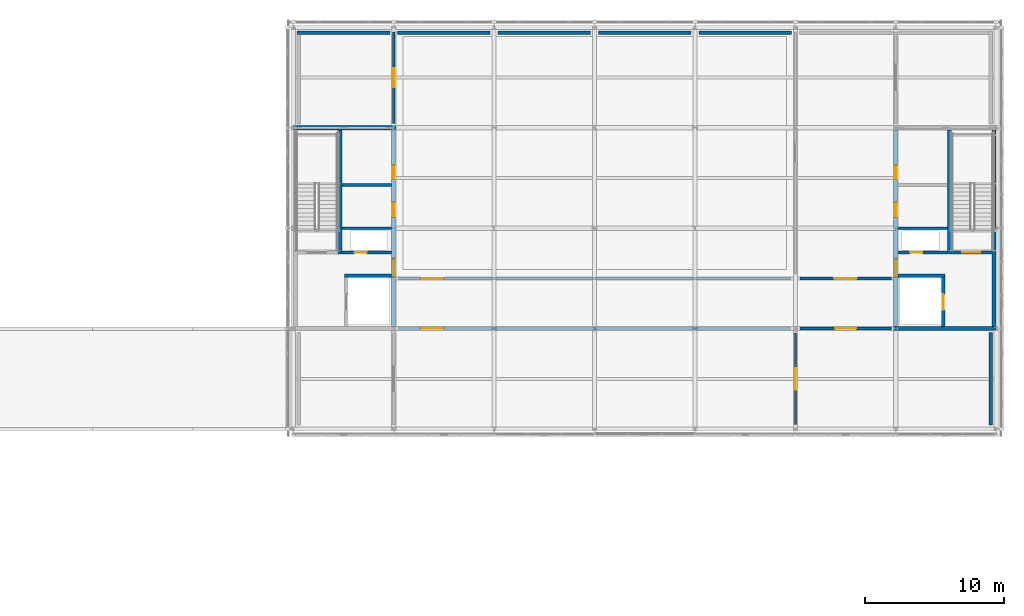
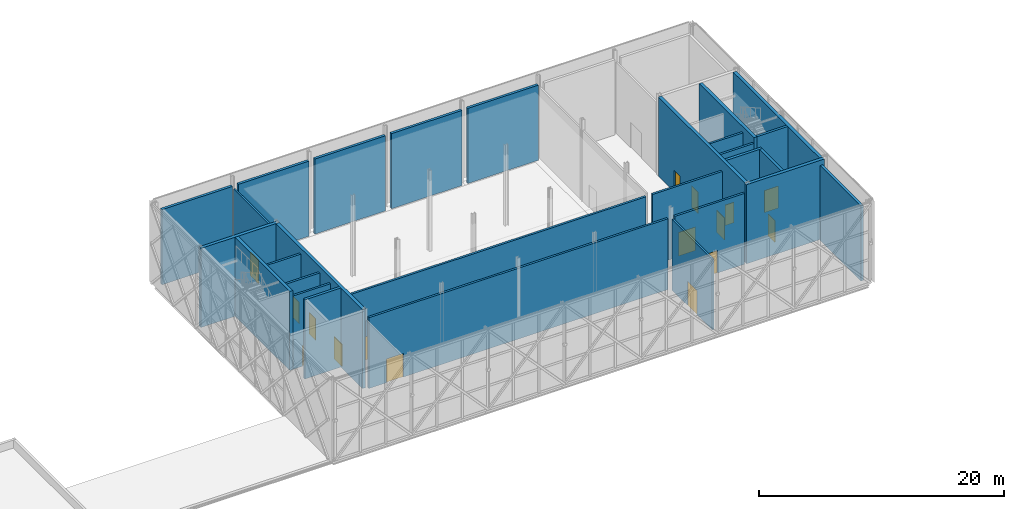
# One storey, part 70 of 76: 28 walls, 16 doors, 16 openings.
"""IFC4 building model written with IfcOpenShell, lengths in metres."""

from ifc_helpers import new_model, si_unit, direction, frame, frame_2d, origin, place, context, subcontext, project, spatial, rectangle, extrude, material, layer, layer_set, type_object, element, fill, save


model = new_model("IFC4")

# Units and contexts
model_context = context("Model", 3, precision=1e-05, world=origin(), true_north=direction((0.0, 1.0)))
body_context = subcontext(model_context, "Body", "Model", "MODEL_VIEW")
ifc_project = project(units=[si_unit("LENGTHUNIT", "METRE"), si_unit("AREAUNIT", "SQUARE_METRE"), si_unit("VOLUMEUNIT", "CUBIC_METRE"), si_unit("PLANEANGLEUNIT", "RADIAN"), si_unit("MASSUNIT", "GRAM", prefix="KILO")], contexts=[model_context])

# Site, building, storey
site_placement = place(None, origin())
site = spatial("IfcSite", under=ifc_project, at=site_placement, CompositionType="ELEMENT")
building_placement = place(site_placement, origin())
building = spatial("IfcBuilding", under=site, at=building_placement, Name="Zlatovets Crest Museum", CompositionType="ELEMENT")
storey_placement = place(building_placement, frame((0.0, 0.0, 17.10009765625)))
storey = spatial("IfcBuildingStorey", under=building, at=storey_placement, Name="L04", CompositionType="ELEMENT", Elevation=17.10009765625)

# Wall
ifc_material_1 = material(Name="Concrete C35/45", Category="concrete")
ifc_layer_1 = layer(ifc_material_1, 0.300048828125)
ifc_layer_set_1 = layer_set([ifc_layer_1], Name="Concrete C35/45")
wall_type_1 = type_object("IfcWallType", Name="CoreWall_SW01", PredefinedType="SHEAR", material=ifc_layer_set_1)
wall_1_placement = place(storey_placement, frame((57.60009765625, 108.0, 0.0), z_axis=(0.0, 0.0, 1.0), x_axis=(1.0, 0.0, 0.0)))
element("IfcWall", 1, at=wall_1_placement, inside=storey, type_object=wall_type_1, Name="Core C1 L04 North Shear Wall", PredefinedType="SHEAR", context=body_context, shape_type="SweptSolid", body=[
    extrude(rectangle(XDim=7.349853515625, YDim=0.300048828125, at=frame_2d((3.6748046875, 0.0))), origin(), (0.0, 0.0, 1.0), 7.8798828125),
])

# Wall, openings, doors
wall_2_placement = place(storey_placement, frame((64.800048828125, 93.75, 0.0), z_axis=(0.0, 0.0, 1.0), x_axis=(0.0, 1.0, 0.0)))
wall_2 = element("IfcWall", 2, at=wall_2_placement, inside=storey, type_object=wall_type_1, Name="Core C1 L04 Spine Shear Wall", PredefinedType="SHEAR", context=body_context, shape_type="SweptSolid", body=[
    extrude(rectangle(XDim=14.10009765625, YDim=0.300048828125, at=frame_2d((7.050048828125, 0.0))), origin(), (0.0, 0.0, 1.0), 7.8798828125),
])
opening_1_placement = place(wall_2_placement, frame((3.550048828125, 0.0, 0.0)))
opening_1 = element("IfcOpeningElement", 3, at=opening_1_placement, cuts=wall_2, Name="Opening FD-01", PredefinedType="OPENING", context=body_context, shape_type="SweptSolid", body=[
    extrude(rectangle(XDim=1.300048828125, YDim=2.199951171875, at=frame_2d((0.64990234375, 1.10009765625))), frame((0.0, 0.16015625, 0.0), z_axis=(0.0, -1.0, 0.0), x_axis=(1.0, 0.0, 0.0)), (0.0, 0.0, 1.0), 0.320068359375),
])
opening_2_placement = place(wall_2_placement, frame((7.85009765625, 0.0, 0.0)))
opening_2 = element("IfcOpeningElement", 4, at=opening_2_placement, cuts=wall_2, Name="Opening ID-02", PredefinedType="OPENING", context=body_context, shape_type="SweptSolid", body=[
    extrude(rectangle(XDim=1.050048828125, YDim=2.14990234375, at=frame_2d((0.52490234375, 1.074951171875))), frame((0.0, 0.16015625, 0.0), z_axis=(0.0, -1.0, 0.0), x_axis=(1.0, 0.0, 0.0)), (0.0, 0.0, 1.0), 0.320068359375),
])
opening_3_placement = place(wall_2_placement, frame((10.550048828125, 0.0, 0.0)))
opening_3 = element("IfcOpeningElement", 5, at=opening_3_placement, cuts=wall_2, Name="Opening ID-01", PredefinedType="OPENING", context=body_context, shape_type="SweptSolid", body=[
    extrude(rectangle(XDim=1.0, YDim=2.14990234375, at=frame_2d((0.5, 1.074951171875))), frame((0.0, 0.16015625, 0.0), z_axis=(0.0, -1.0, 0.0), x_axis=(1.0, 0.0, 0.0)), (0.0, 0.0, 1.0), 0.320068359375),
])
ifc_material_2 = material(Name="Smoke-sealed steel fire door", Category="steel")
door_type_1 = type_object("IfcDoorType", Name="IntDoor_FD-01", OperationType="NOTDEFINED", PredefinedType="DOOR", material=ifc_material_2)
door_1_placement = place(opening_1_placement, origin())
door_1 = element("IfcDoor", 6, at=door_1_placement, inside=storey, type_object=door_type_1, Name="CDOOR-C1-L04-LOB Core C1 L04 Lobby Fire Door", OperationType="SINGLE_SWING_RIGHT", OverallHeight=2.199951171875, OverallWidth=1.300048828125, PredefinedType="DOOR", context=body_context, shape_type="SweptSolid", body=[
    extrude(rectangle(XDim=1.300048828125, YDim=2.199951171875, at=frame_2d((0.64990234375, 1.10009765625))), frame((0.0, 0.02490234375, 0.0), z_axis=(0.0, -1.0, 0.0), x_axis=(1.0, 0.0, 0.0)), (0.0, 0.0, 1.0), 0.050048828125),
])
fill(opening_1, door_1)
ifc_material_3 = material(Name="Solid oak museum room door")
door_type_2 = type_object("IfcDoorType", Name="IntDoor_ID-01", OperationType="NOTDEFINED", PredefinedType="DOOR", material=ifc_material_3)
door_2_placement = place(opening_3_placement, origin())
door_2 = element("IfcDoor", 7, at=door_2_placement, inside=storey, type_object=door_type_2, Name="CDOOR-C1-L04-WC Core C1 L04 Public Restroom Door", OperationType="SINGLE_SWING_RIGHT", OverallHeight=2.14990234375, OverallWidth=1.0, PredefinedType="DOOR", context=body_context, shape_type="SweptSolid", body=[
    extrude(rectangle(XDim=1.0, YDim=2.14990234375, at=frame_2d((0.5, 1.074951171875))), frame((0.0, 0.02490234375, 0.0), z_axis=(0.0, -1.0, 0.0), x_axis=(1.0, 0.0, 0.0)), (0.0, 0.0, 1.0), 0.050048828125),
])
fill(opening_3, door_2)
ifc_material_4 = material(Name="Accessible sanitary room door")
door_type_3 = type_object("IfcDoorType", Name="IntDoor_ID-02", OperationType="NOTDEFINED", PredefinedType="DOOR", material=ifc_material_4)
door_3_placement = place(opening_2_placement, origin())
door_3 = element("IfcDoor", 8, at=door_3_placement, inside=storey, type_object=door_type_3, Name="CDOOR-C1-L04-AWC Core C1 L04 Accessible WC Door", OperationType="SINGLE_SWING_LEFT", OverallHeight=2.14990234375, OverallWidth=1.050048828125, PredefinedType="DOOR", context=body_context, shape_type="SweptSolid", body=[
    extrude(rectangle(XDim=1.050048828125, YDim=2.14990234375, at=frame_2d((0.52490234375, 1.074951171875))), frame((0.0, 0.02490234375, 0.0), z_axis=(0.0, -1.0, 0.0), x_axis=(1.0, 0.0, 0.0)), (0.0, 0.0, 1.0), 0.050048828125),
])
fill(opening_2, door_3)

# Walls
wall_3_placement = place(storey_placement, frame((60.949951171875, 98.93994140625, 0.0), z_axis=(0.0, 0.0, 1.0), x_axis=(0.0, 1.0, 0.0)))
element("IfcWall", 9, at=wall_3_placement, inside=storey, type_object=wall_type_1, Name="Core C1 L04 Stair Divider Wall", PredefinedType="SHEAR", context=body_context, shape_type="SweptSolid", body=[
    extrude(rectangle(XDim=8.91015625, YDim=0.300048828125, at=frame_2d((4.455078125, 0.0))), origin(), (0.0, 0.0, 1.0), 7.8798828125),
])
wall_4_placement = place(storey_placement, frame((100.64990234375, 93.60009765625, 0.0), z_axis=(0.0, 0.0, 1.0), x_axis=(1.0, 0.0, 0.0)))
element("IfcWall", 10, at=wall_4_placement, inside=storey, type_object=wall_type_1, Name="Core C6 L04 South Shear Wall", PredefinedType="SHEAR", context=body_context, shape_type="SweptSolid", body=[
    extrude(rectangle(XDim=7.35009765625, YDim=0.300048828125, at=frame_2d((3.675048828125, 0.0))), origin(), (0.0, 0.0, 1.0), 7.8798828125),
])
wall_5_placement = place(storey_placement, frame((107.85009765625, 93.75, 0.0), z_axis=(0.0, 0.0, 1.0), x_axis=(0.0, 1.0, 0.0)))
element("IfcWall", 11, at=wall_5_placement, inside=storey, type_object=wall_type_1, Name="Core C6 L04 Perimeter Shear Wall", PredefinedType="SHEAR", context=body_context, shape_type="SweptSolid", body=[
    extrude(rectangle(XDim=14.10009765625, YDim=0.300048828125, at=frame_2d((7.050048828125, 0.0))), origin(), (0.0, 0.0, 1.0), 7.8798828125),
])

# Wall, openings, doors
wall_6_placement = place(storey_placement, frame((100.800048828125, 93.75, 0.0), z_axis=(0.0, 0.0, 1.0), x_axis=(0.0, 1.0, 0.0)))
wall_6 = element("IfcWall", 12, at=wall_6_placement, inside=storey, type_object=wall_type_1, Name="Core C6 L04 Spine Shear Wall", PredefinedType="SHEAR", context=body_context, shape_type="SweptSolid", body=[
    extrude(rectangle(XDim=14.10009765625, YDim=0.300048828125, at=frame_2d((7.050048828125, 0.0))), origin(), (0.0, 0.0, 1.0), 7.8798828125),
])
opening_4_placement = place(wall_6_placement, frame((3.550048828125, 0.0, 0.0)))
opening_4 = element("IfcOpeningElement", 13, at=opening_4_placement, cuts=wall_6, Name="Opening FD-01", PredefinedType="OPENING", context=body_context, shape_type="SweptSolid", body=[
    extrude(rectangle(XDim=1.300048828125, YDim=2.199951171875, at=frame_2d((0.64990234375, 1.10009765625))), frame((0.0, 0.16015625, 0.0), z_axis=(0.0, -1.0, 0.0), x_axis=(1.0, 0.0, 0.0)), (0.0, 0.0, 1.0), 0.320068359375),
])
opening_5_placement = place(wall_6_placement, frame((7.85009765625, 0.0, 0.0)))
opening_5 = element("IfcOpeningElement", 14, at=opening_5_placement, cuts=wall_6, Name="Opening ID-02", PredefinedType="OPENING", context=body_context, shape_type="SweptSolid", body=[
    extrude(rectangle(XDim=1.050048828125, YDim=2.14990234375, at=frame_2d((0.52490234375, 1.074951171875))), frame((0.0, 0.16015625, 0.0), z_axis=(0.0, -1.0, 0.0), x_axis=(1.0, 0.0, 0.0)), (0.0, 0.0, 1.0), 0.320068359375),
])
opening_6_placement = place(wall_6_placement, frame((10.550048828125, 0.0, 0.0)))
opening_6 = element("IfcOpeningElement", 15, at=opening_6_placement, cuts=wall_6, Name="Opening ID-01", PredefinedType="OPENING", context=body_context, shape_type="SweptSolid", body=[
    extrude(rectangle(XDim=1.0, YDim=2.14990234375, at=frame_2d((0.5, 1.074951171875))), frame((0.0, 0.16015625, 0.0), z_axis=(0.0, -1.0, 0.0), x_axis=(1.0, 0.0, 0.0)), (0.0, 0.0, 1.0), 0.320068359375),
])
door_4_placement = place(opening_4_placement, origin())
door_4 = element("IfcDoor", 16, at=door_4_placement, inside=storey, type_object=door_type_1, Name="CDOOR-C6-L04-LOB Core C6 L04 Lobby Fire Door", OperationType="SINGLE_SWING_RIGHT", OverallHeight=2.199951171875, OverallWidth=1.300048828125, PredefinedType="DOOR", context=body_context, shape_type="SweptSolid", body=[
    extrude(rectangle(XDim=1.300048828125, YDim=2.199951171875, at=frame_2d((0.64990234375, 1.10009765625))), frame((0.0, 0.02490234375, 0.0), z_axis=(0.0, -1.0, 0.0), x_axis=(1.0, 0.0, 0.0)), (0.0, 0.0, 1.0), 0.050048828125),
])
fill(opening_4, door_4)
door_5_placement = place(opening_6_placement, origin())
door_5 = element("IfcDoor", 17, at=door_5_placement, inside=storey, type_object=door_type_2, Name="CDOOR-C6-L04-WC Core C6 L04 Public Restroom Door", OperationType="SINGLE_SWING_RIGHT", OverallHeight=2.14990234375, OverallWidth=1.0, PredefinedType="DOOR", context=body_context, shape_type="SweptSolid", body=[
    extrude(rectangle(XDim=1.0, YDim=2.14990234375, at=frame_2d((0.5, 1.074951171875))), frame((0.0, 0.02490234375, 0.0), z_axis=(0.0, -1.0, 0.0), x_axis=(1.0, 0.0, 0.0)), (0.0, 0.0, 1.0), 0.050048828125),
])
fill(opening_6, door_5)
door_6_placement = place(opening_5_placement, origin())
door_6 = element("IfcDoor", 18, at=door_6_placement, inside=storey, type_object=door_type_3, Name="CDOOR-C6-L04-AWC Core C6 L04 Accessible WC Door", OperationType="SINGLE_SWING_LEFT", OverallHeight=2.14990234375, OverallWidth=1.050048828125, PredefinedType="DOOR", context=body_context, shape_type="SweptSolid", body=[
    extrude(rectangle(XDim=1.050048828125, YDim=2.14990234375, at=frame_2d((0.52490234375, 1.074951171875))), frame((0.0, 0.02490234375, 0.0), z_axis=(0.0, -1.0, 0.0), x_axis=(1.0, 0.0, 0.0)), (0.0, 0.0, 1.0), 0.050048828125),
])
fill(opening_5, door_6)

# Walls
wall_7_placement = place(storey_placement, frame((104.64990234375, 98.93994140625, 0.0), z_axis=(0.0, 0.0, 1.0), x_axis=(0.0, 1.0, 0.0)))
element("IfcWall", 19, at=wall_7_placement, inside=storey, type_object=wall_type_1, Name="Core C6 L04 Stair Divider Wall", PredefinedType="SHEAR", context=body_context, shape_type="SweptSolid", body=[
    extrude(rectangle(XDim=8.91015625, YDim=0.300048828125, at=frame_2d((4.455078125, 0.0))), origin(), (0.0, 0.0, 1.0), 7.8798828125),
])
ifc_layer_2 = layer(ifc_material_1, 0.25)
ifc_layer_set_2 = layer_set([ifc_layer_2], Name="Concrete C35/45")
wall_type_2 = type_object("IfcWallType", Name="CoreWall_SW02", PredefinedType="SHEAR", material=ifc_layer_set_2)
wall_8_placement = place(storey_placement, frame((61.27490234375, 97.39990234375, 0.0), z_axis=(0.0, 0.0, 1.0), x_axis=(1.0, 0.0, 0.0)))
element("IfcWall", 20, at=wall_8_placement, inside=storey, type_object=wall_type_2, Name="Core C1 L04 Lift Shaft North Shear Wall", PredefinedType="SHEAR", context=body_context, shape_type="SweptSolid", body=[
    extrude(rectangle(XDim=3.375, YDim=0.25, at=frame_2d((1.6875, 0.0))), origin(), (0.0, 0.0, 1.0), 7.8798828125),
])

# Wall, opening, door
wall_9_placement = place(storey_placement, frame((104.199951171875, 93.75, 0.0), z_axis=(0.0, 0.0, 1.0), x_axis=(0.0, 1.0, 0.0)))
wall_9 = element("IfcWall", 21, at=wall_9_placement, inside=storey, type_object=wall_type_2, Name="Core C6 L04 Lift Shaft Wall", PredefinedType="SHEAR", context=body_context, shape_type="SweptSolid", body=[
    extrude(rectangle(XDim=3.52490234375, YDim=0.25, at=frame_2d((1.762451171875, 0.0))), origin(), (0.0, 0.0, 1.0), 7.8798828125),
])
opening_7_placement = place(wall_9_placement, frame((1.199951171875, 0.0, 0.0)))
opening_7 = element("IfcOpeningElement", 22, at=opening_7_placement, cuts=wall_9, Name="Opening LD-01", PredefinedType="OPENING", context=body_context, shape_type="SweptSolid", body=[
    extrude(rectangle(XDim=1.10009765625, YDim=2.14990234375, at=frame_2d((0.550048828125, 1.074951171875))), frame((0.0, 0.135009765625, 0.0), z_axis=(0.0, -1.0, 0.0), x_axis=(1.0, 0.0, 0.0)), (0.0, 0.0, 1.0), 0.27001953125),
])
ifc_material_5 = material(Name="Stainless-bronze sliding lift landing door")
door_type_4 = type_object("IfcDoorType", Name="IntDoor_LD-01", OperationType="SLIDING_TO_LEFT", PredefinedType="DOOR", material=ifc_material_5)
door_7_placement = place(opening_7_placement, origin())
door_7 = element("IfcDoor", 23, at=door_7_placement, inside=storey, type_object=door_type_4, Name="LDOOR-FL2-L04 Lift FL2 L04 Sliding Landing Door", OperationType="SLIDING_TO_LEFT", OverallHeight=2.14990234375, OverallWidth=1.10009765625, PredefinedType="DOOR", context=body_context, shape_type="SweptSolid", body=[
    extrude(rectangle(XDim=1.10009765625, YDim=2.14990234375, at=frame_2d((0.550048828125, 1.074951171875))), frame((0.0, 0.02490234375, 0.0), z_axis=(0.0, -1.0, 0.0), x_axis=(1.0, 0.0, 0.0)), (0.0, 0.0, 1.0), 0.050048828125),
])
fill(opening_7, door_7)

wall_10_placement = place(storey_placement, frame((104.800048828125, 99.050048828125, 0.0), z_axis=(0.0, 0.0, 1.0), x_axis=(1.0, 0.0, 0.0)))
wall_10 = element("IfcWall", 24, at=wall_10_placement, inside=storey, type_object=wall_type_2, Name="Core C6 L04 Stairwell Fire Wall", PredefinedType="SHEAR", context=body_context, shape_type="SweptSolid", body=[
    extrude(rectangle(XDim=2.89990234375, YDim=0.219970703125, at=frame_2d((1.449951171875, 0.0))), origin(), (0.0, 0.0, 1.0), 7.8798828125),
])
opening_8_placement = place(wall_10_placement, frame((0.75, 0.0, 0.0)))
opening_8 = element("IfcOpeningElement", 25, at=opening_8_placement, cuts=wall_10, Name="Opening FD-01", PredefinedType="OPENING", context=body_context, shape_type="SweptSolid", body=[
    extrude(rectangle(XDim=1.300048828125, YDim=2.199951171875, at=frame_2d((0.64990234375, 1.10009765625))), frame((0.0, 0.1201171875, 0.0), z_axis=(0.0, -1.0, 0.0), x_axis=(1.0, 0.0, 0.0)), (0.0, 0.0, 1.0), 0.239990234375),
])
door_8_placement = place(opening_8_placement, origin())
door_8 = element("IfcDoor", 26, at=door_8_placement, inside=storey, type_object=door_type_1, Name="SDOOR-ST7-L04 Stair ST7 L04 Fire Door", OperationType="SINGLE_SWING_LEFT", OverallHeight=2.199951171875, OverallWidth=1.300048828125, PredefinedType="DOOR", context=body_context, shape_type="SweptSolid", body=[
    extrude(rectangle(XDim=1.300048828125, YDim=2.199951171875, at=frame_2d((0.64990234375, 1.10009765625))), frame((0.0, 0.02490234375, 0.0), z_axis=(0.0, -1.0, 0.0), x_axis=(1.0, 0.0, 0.0)), (0.0, 0.0, 1.0), 0.050048828125),
])
fill(opening_8, door_8)

# Walls
wall_11_placement = place(storey_placement, frame((100.949951171875, 97.39990234375, 0.0), z_axis=(0.0, 0.0, 1.0), x_axis=(1.0, 0.0, 0.0)))
element("IfcWall", 27, at=wall_11_placement, inside=storey, type_object=wall_type_2, Name="Core C6 L04 Lift Shaft North Shear Wall", PredefinedType="SHEAR", context=body_context, shape_type="SweptSolid", body=[
    extrude(rectangle(XDim=3.375, YDim=0.25, at=frame_2d((1.6875, 0.0))), origin(), (0.0, 0.0, 1.0), 7.8798828125),
])
ifc_material_6 = material(Name="Insulated gallery conservation liner wall", Category="concrete")
ifc_layer_3 = layer(ifc_material_6, 0.300048828125)
ifc_layer_set_3 = layer_set([ifc_layer_3], Name="Insulated gallery conservation liner wall")
wall_type_3 = type_object("IfcWallType", Name="ExtWall_EW-02", PredefinedType="STANDARD", material=ifc_layer_set_3)
for number, where, z_axis, x_axis, name in (
    (28, (107.6201171875, 86.679931640625, 0.0), (0.0, 0.0, 1.0), (0.0, 1.0, 0.0), "V1 L04 Interior Conservation Gallery Liner Wall"),
    (29, (93.320068359375, 114.820068359375, 0.0), (0.0, 0.0, 1.0), (-1.0, 0.0, 0.0), "V1 L04 Interior Conservation Gallery Liner Wall"),
    (30, (86.1201171875, 114.820068359375, 0.0), (0.0, 0.0, 1.0), (-1.0, 0.0, 0.0), "V1 L04 Interior Conservation Gallery Liner Wall"),
):
    element("IfcWall", number, at=place(storey_placement, frame(where, z_axis=z_axis, x_axis=x_axis)), inside=storey, type_object=wall_type_3, Name=name, PredefinedType="STANDARD", context=body_context, shape_type="SweptSolid", body=[
        extrude(rectangle(XDim=6.64013671875, YDim=0.239990234375, at=frame_2d((3.320068359375, 0.0))), origin(), (0.0, 0.0, 1.0), 7.47998046875),
    ])
for number, where, z_axis, x_axis, name in (
    (31, (78.919921875, 114.820068359375, 0.0), (0.0, 0.0, 1.0), (-1.0, 0.0, 0.0), "V1 L04 Interior Conservation Gallery Liner Wall"),
    (32, (71.719970703125, 114.820068359375, 0.0), (0.0, 0.0, 1.0), (-1.0, 0.0, 0.0), "V1 L04 Interior Conservation Gallery Liner Wall"),
):
    element("IfcWall", number, at=place(storey_placement, frame(where, z_axis=z_axis, x_axis=x_axis)), inside=storey, type_object=wall_type_3, Name=name, PredefinedType="STANDARD", context=body_context, shape_type="SweptSolid", body=[
        extrude(rectangle(XDim=6.639892578125, YDim=0.239990234375, at=frame_2d((3.31982421875, 0.0))), origin(), (0.0, 0.0, 1.0), 7.47998046875),
    ])
wall_12_placement = place(storey_placement, frame((64.52001953125, 114.820068359375, 0.0), z_axis=(0.0, 0.0, 1.0), x_axis=(-1.0, 0.0, 0.0)))
element("IfcWall", 33, at=wall_12_placement, inside=storey, type_object=wall_type_3, Name="V1 L04 Interior Conservation Gallery Liner Wall", PredefinedType="STANDARD", context=body_context, shape_type="SweptSolid", body=[
    extrude(rectangle(XDim=6.64013671875, YDim=0.239990234375, at=frame_2d((3.320068359375, 0.0))), origin(), (0.0, 0.0, 1.0), 7.47998046875),
])

# Wall, opening, door
ifc_material_7 = material(Name="Gypsum-encased fire compartment partition")
ifc_layer_4 = layer(ifc_material_7, 0.199951171875)
ifc_layer_set_4 = layer_set([ifc_layer_4], Name="Gypsum-encased fire compartment partition")
wall_type_4 = type_object("IfcWallType", Name="PartWall_PT-01", PredefinedType="PARTITIONING", material=ifc_layer_set_4)
wall_13_placement = place(storey_placement, frame((65.1201171875, 97.199951171875, 0.0), z_axis=(0.0, 0.0, 1.0), x_axis=(1.0, 0.0, 0.0)))
wall_13 = element("IfcWall", 34, at=wall_13_placement, inside=storey, type_object=wall_type_4, Name="V1 L04 Interior Partition PT-01", PredefinedType="PARTITIONING", context=body_context, shape_type="SweptSolid", body=[
    extrude(rectangle(XDim=28.159912109375, YDim=0.199951171875, at=frame_2d((14.080078125, 0.0))), origin(), (0.0, 0.0, 1.0), 7.0498046875),
])
opening_9_placement = place(wall_13_placement, frame((1.648681640625, 0.0, 0.0)))
opening_9 = element("IfcOpeningElement", 35, at=opening_9_placement, cuts=wall_13, Name="Opening ID-04", PredefinedType="OPENING", context=body_context, shape_type="SweptSolid", body=[
    extrude(rectangle(XDim=1.60009765625, YDim=2.35009765625, at=frame_2d((0.800048828125, 1.175048828125))), frame((0.0, 0.10986328125, 0.0), z_axis=(0.0, -1.0, 0.0), x_axis=(1.0, 0.0, 0.0)), (0.0, 0.0, 1.0), 0.219970703125),
])
ifc_material_8 = material(Name="Gallery salon double portal door")
door_type_5 = type_object("IfcDoorType", Name="IntDoor_ID-04", OperationType="DOUBLE_DOOR_SINGLE_SWING", PredefinedType="DOOR", material=ifc_material_8)
door_9_placement = place(opening_9_placement, origin())
door_9 = element("IfcDoor", 36, at=door_9_placement, inside=storey, type_object=door_type_5, Name="IDOOR-V1-L04-0208 Grand Gallery Promenade to Double-Height Grand Sculpture Hall Door", OperationType="DOUBLE_DOOR_SINGLE_SWING", OverallHeight=2.35009765625, OverallWidth=1.60009765625, PredefinedType="DOOR", context=body_context, shape_type="SweptSolid", body=[
    extrude(rectangle(XDim=1.60009765625, YDim=2.35009765625, at=frame_2d((0.800048828125, 1.175048828125))), frame((0.0, 0.02490234375, 0.0), z_axis=(0.0, -1.0, 0.0), x_axis=(1.0, 0.0, 0.0)), (0.0, 0.0, 1.0), 0.050048828125),
])
fill(opening_9, door_9)

wall_14_placement = place(storey_placement, frame((65.1201171875, 93.60009765625, 0.0), z_axis=(0.0, 0.0, 1.0), x_axis=(1.0, 0.0, 0.0)))
wall_14 = element("IfcWall", 37, at=wall_14_placement, inside=storey, type_object=wall_type_4, Name="V1 L04 Interior Partition PT-01", PredefinedType="PARTITIONING", context=body_context, shape_type="SweptSolid", body=[
    extrude(rectangle(XDim=28.159912109375, YDim=0.199951171875, at=frame_2d((14.080078125, 0.0))), origin(), (0.0, 0.0, 1.0), 7.0498046875),
])
opening_10_placement = place(wall_14_placement, frame((1.648681640625, 0.0, 0.0)))
opening_10 = element("IfcOpeningElement", 38, at=opening_10_placement, cuts=wall_14, Name="Opening ID-04", PredefinedType="OPENING", context=body_context, shape_type="SweptSolid", body=[
    extrude(rectangle(XDim=1.60009765625, YDim=2.35009765625, at=frame_2d((0.800048828125, 1.175048828125))), frame((0.0, 0.10986328125, 0.0), z_axis=(0.0, -1.0, 0.0), x_axis=(1.0, 0.0, 0.0)), (0.0, 0.0, 1.0), 0.219970703125),
])
door_10_placement = place(opening_10_placement, origin())
door_10 = element("IfcDoor", 39, at=door_10_placement, inside=storey, type_object=door_type_5, Name="IDOOR-V1-L04-0209 Grand Gallery Promenade to Monumental Secession Frieze Salon Door", OperationType="DOUBLE_DOOR_SINGLE_SWING", OverallHeight=2.35009765625, OverallWidth=1.60009765625, PredefinedType="DOOR", context=body_context, shape_type="SweptSolid", body=[
    extrude(rectangle(XDim=1.60009765625, YDim=2.35009765625, at=frame_2d((0.800048828125, 1.175048828125))), frame((0.0, 0.02490234375, 0.0), z_axis=(0.0, -1.0, 0.0), x_axis=(1.0, 0.0, 0.0)), (0.0, 0.0, 1.0), 0.050048828125),
])
fill(opening_10, door_10)

wall_15_placement = place(storey_placement, frame((93.919921875, 93.60009765625, 0.0), z_axis=(0.0, 0.0, 1.0), x_axis=(1.0, 0.0, 0.0)))
wall_15 = element("IfcWall", 40, at=wall_15_placement, inside=storey, type_object=wall_type_4, Name="V1 L04 Interior Partition PT-01", PredefinedType="PARTITIONING", context=body_context, shape_type="SweptSolid", body=[
    extrude(rectangle(XDim=6.56005859375, YDim=0.199951171875, at=frame_2d((3.280029296875, 0.0))), origin(), (0.0, 0.0, 1.0), 7.0498046875),
])
opening_11_placement = place(wall_15_placement, frame((2.530029296875, 0.0, 0.0)))
opening_11 = element("IfcOpeningElement", 41, at=opening_11_placement, cuts=wall_15, Name="Opening FD-02", PredefinedType="OPENING", context=body_context, shape_type="SweptSolid", body=[
    extrude(rectangle(XDim=1.5, YDim=2.25, at=frame_2d((0.75, 1.125))), frame((0.0, 0.10986328125, 0.0), z_axis=(0.0, -1.0, 0.0), x_axis=(1.0, 0.0, 0.0)), (0.0, 0.0, 1.0), 0.219970703125),
])
ifc_material_9 = material(Name="Double corridor compartment fire door")
door_type_6 = type_object("IfcDoorType", Name="IntDoor_FD-02", OperationType="DOUBLE_DOOR_SINGLE_SWING", PredefinedType="DOOR", material=ifc_material_9)
door_11_placement = place(opening_11_placement, origin())
door_11 = element("IfcDoor", 42, at=door_11_placement, inside=storey, type_object=door_type_6, Name="IDOOR-V1-L04-0210 Grand Gallery Promenade to Vitosha Belvedere Viewing Lounge Door", OperationType="DOUBLE_DOOR_SINGLE_SWING", OverallHeight=2.25, OverallWidth=1.5, PredefinedType="DOOR", context=body_context, shape_type="SweptSolid", body=[
    extrude(rectangle(XDim=1.5, YDim=2.25, at=frame_2d((0.75, 1.125))), frame((0.0, 0.02490234375, 0.0), z_axis=(0.0, -1.0, 0.0), x_axis=(1.0, 0.0, 0.0)), (0.0, 0.0, 1.0), 0.050048828125),
])
fill(opening_11, door_11)

wall_16_placement = place(storey_placement, frame((93.919921875, 97.199951171875, 0.0), z_axis=(0.0, 0.0, 1.0), x_axis=(1.0, 0.0, 0.0)))
wall_16 = element("IfcWall", 43, at=wall_16_placement, inside=storey, type_object=wall_type_4, Name="V1 L04 Interior Partition PT-01", PredefinedType="PARTITIONING", context=body_context, shape_type="SweptSolid", body=[
    extrude(rectangle(XDim=6.56005859375, YDim=0.199951171875, at=frame_2d((3.280029296875, 0.0))), origin(), (0.0, 0.0, 1.0), 7.0498046875),
])
opening_12_placement = place(wall_16_placement, frame((2.47998046875, 0.0, 0.0)))
opening_12 = element("IfcOpeningElement", 44, at=opening_12_placement, cuts=wall_16, Name="Opening ID-04", PredefinedType="OPENING", context=body_context, shape_type="SweptSolid", body=[
    extrude(rectangle(XDim=1.60009765625, YDim=2.35009765625, at=frame_2d((0.800048828125, 1.175048828125))), frame((0.0, 0.10986328125, 0.0), z_axis=(0.0, -1.0, 0.0), x_axis=(1.0, 0.0, 0.0)), (0.0, 0.0, 1.0), 0.219970703125),
])
door_12_placement = place(opening_12_placement, origin())
door_12 = element("IfcDoor", 45, at=door_12_placement, inside=storey, type_object=door_type_5, Name="IDOOR-V1-L04-0211 Grand Gallery Promenade to Monumental Painting Conservation Studio Door", OperationType="DOUBLE_DOOR_SINGLE_SWING", OverallHeight=2.35009765625, OverallWidth=1.60009765625, PredefinedType="DOOR", context=body_context, shape_type="SweptSolid", body=[
    extrude(rectangle(XDim=1.60009765625, YDim=2.35009765625, at=frame_2d((0.800048828125, 1.175048828125))), frame((0.0, 0.02490234375, 0.0), z_axis=(0.0, -1.0, 0.0), x_axis=(1.0, 0.0, 0.0)), (0.0, 0.0, 1.0), 0.050048828125),
])
fill(opening_12, door_12)

ifc_material_10 = material(Name="Acoustic museum gallery stud partition")
ifc_layer_5 = layer(ifc_material_10, 0.159912109375)
ifc_layer_set_5 = layer_set([ifc_layer_5], Name="Acoustic museum gallery stud partition")
wall_type_5 = type_object("IfcWallType", Name="PartWall_PT-02", PredefinedType="PARTITIONING", material=ifc_layer_set_5)
wall_17_placement = place(storey_placement, frame((64.800048828125, 108.320068359375, 0.0), z_axis=(0.0, 0.0, 1.0), x_axis=(0.0, 1.0, 0.0)))
wall_17 = element("IfcWall", 46, at=wall_17_placement, inside=storey, type_object=wall_type_5, Name="V1 L04 Interior Partition PT-02", PredefinedType="PARTITIONING", context=body_context, shape_type="SweptSolid", body=[
    extrude(rectangle(XDim=6.559814453125, YDim=0.159912109375, at=frame_2d((3.27978515625, 0.0))), origin(), (0.0, 0.0, 1.0), 7.0498046875),
])
opening_13_placement = place(wall_17_placement, frame((2.60498046875, 0.0, 0.0)))
opening_13 = element("IfcOpeningElement", 47, at=opening_13_placement, cuts=wall_17, Name="Opening ID-12", PredefinedType="OPENING", context=body_context, shape_type="SweptSolid", body=[
    extrude(rectangle(XDim=1.35009765625, YDim=2.35009765625, at=frame_2d((0.675048828125, 1.175048828125))), frame((0.0, 0.08984375, 0.0), z_axis=(0.0, -1.0, 0.0), x_axis=(1.0, 0.0, 0.0)), (0.0, 0.0, 1.0), 0.179931640625),
])
ifc_material_11 = material(Name="Specimen prep wide oak door")
door_type_7 = type_object("IfcDoorType", Name="IntDoor_ID-12", OperationType="NOTDEFINED", PredefinedType="DOOR", material=ifc_material_11)
door_13_placement = place(opening_13_placement, origin())
door_13 = element("IfcDoor", 48, at=door_13_placement, inside=storey, type_object=door_type_7, Name="IDOOR-V1-L04-0213 Double-Height Grand Sculpture Hall to Lighting Control Study Door", OperationType="SINGLE_SWING_RIGHT", OverallHeight=2.35009765625, OverallWidth=1.35009765625, PredefinedType="DOOR", context=body_context, shape_type="SweptSolid", body=[
    extrude(rectangle(XDim=1.35009765625, YDim=2.35009765625, at=frame_2d((0.675048828125, 1.175048828125))), frame((0.0, 0.02490234375, 0.0), z_axis=(0.0, -1.0, 0.0), x_axis=(1.0, 0.0, 0.0)), (0.0, 0.0, 1.0), 0.050048828125),
])
fill(opening_13, door_13)

wall_18_placement = place(storey_placement, frame((93.60009765625, 86.719970703125, 0.0), z_axis=(0.0, 0.0, 1.0), x_axis=(0.0, 1.0, 0.0)))
wall_18 = element("IfcWall", 49, at=wall_18_placement, inside=storey, type_object=wall_type_5, Name="V1 L04 Interior Partition PT-02", PredefinedType="PARTITIONING", context=body_context, shape_type="SweptSolid", body=[
    extrude(rectangle(XDim=6.56005859375, YDim=0.159912109375, at=frame_2d((3.280029296875, 0.0))), origin(), (0.0, 0.0, 1.0), 7.0498046875),
])
opening_14_placement = place(wall_18_placement, frame((2.5048828125, 0.0, 0.0)))
opening_14 = element("IfcOpeningElement", 50, at=opening_14_placement, cuts=wall_18, Name="Opening ID-13", PredefinedType="OPENING", context=body_context, shape_type="SweptSolid", body=[
    extrude(rectangle(XDim=1.550048828125, YDim=2.39990234375, at=frame_2d((0.77490234375, 1.199951171875))), frame((0.0, 0.08984375, 0.0), z_axis=(0.0, -1.0, 0.0), x_axis=(1.0, 0.0, 0.0)), (0.0, 0.0, 1.0), 0.179931640625),
])
ifc_material_12 = material(Name="Cabinet gallery double door")
door_type_8 = type_object("IfcDoorType", Name="IntDoor_ID-13", OperationType="DOUBLE_DOOR_SINGLE_SWING", PredefinedType="DOOR", material=ifc_material_12)
door_14_placement = place(opening_14_placement, origin())
door_14 = element("IfcDoor", 51, at=door_14_placement, inside=storey, type_object=door_type_8, Name="IDOOR-V1-L04-0214 Monumental Secession Frieze Salon to Vitosha Belvedere Viewing Lounge Door", OperationType="DOUBLE_DOOR_SINGLE_SWING", OverallHeight=2.39990234375, OverallWidth=1.550048828125, PredefinedType="DOOR", context=body_context, shape_type="SweptSolid", body=[
    extrude(rectangle(XDim=1.550048828125, YDim=2.39990234375, at=frame_2d((0.77490234375, 1.199951171875))), frame((0.0, 0.02490234375, 0.0), z_axis=(0.0, -1.0, 0.0), x_axis=(1.0, 0.0, 0.0)), (0.0, 0.0, 1.0), 0.050048828125),
])
fill(opening_14, door_14)

ifc_material_13 = material(Name="Sanitary core acoustic service wall")
ifc_layer_6 = layer(ifc_material_13, 0.219970703125)
ifc_layer_set_6 = layer_set([ifc_layer_6], Name="Sanitary core acoustic service wall")
wall_type_6 = type_object("IfcWallType", Name="PartWall_PT-04", PredefinedType="PLUMBINGWALL", material=ifc_layer_set_6)
wall_19_placement = place(storey_placement, frame((61.10009765625, 99.050048828125, 0.0), z_axis=(0.0, 0.0, 1.0), x_axis=(1.0, 0.0, 0.0)))
wall_19 = element("IfcWall", 52, at=wall_19_placement, inside=storey, type_object=wall_type_6, Name="Core C1 L04 Riser Lobby Wall", PredefinedType="PLUMBINGWALL", context=body_context, shape_type="SweptSolid", body=[
    extrude(rectangle(XDim=3.5498046875, YDim=0.199951171875, at=frame_2d((1.77490234375, 0.0))), origin(), (0.0, 0.0, 1.0), 7.2998046875),
])
opening_15_placement = place(wall_19_placement, frame((0.89990234375, 0.0, 0.0)))
opening_15 = element("IfcOpeningElement", 53, at=opening_15_placement, cuts=wall_19, Name="Opening FD-03", PredefinedType="OPENING", context=body_context, shape_type="SweptSolid", body=[
    extrude(rectangle(XDim=0.85009765625, YDim=2.050048828125, at=frame_2d((0.425048828125, 1.02490234375))), frame((0.0, 0.10986328125, 0.0), z_axis=(0.0, -1.0, 0.0), x_axis=(1.0, 0.0, 0.0)), (0.0, 0.0, 1.0), 0.219970703125),
])
ifc_material_14 = material(Name="Steel riser shaft access fire door", Category="steel")
door_type_9 = type_object("IfcDoorType", Name="IntDoor_FD-03", OperationType="NOTDEFINED", PredefinedType="TRAPDOOR", material=ifc_material_14)
door_15_placement = place(opening_15_placement, origin())
door_15 = element("IfcDoor", 54, at=door_15_placement, inside=storey, type_object=door_type_9, Name="CDOOR-C1-L04-RIS Core C1 L04 Riser Access Door", OperationType="SINGLE_SWING_RIGHT", OverallHeight=2.050048828125, OverallWidth=0.85009765625, PredefinedType="TRAPDOOR", context=body_context, shape_type="SweptSolid", body=[
    extrude(rectangle(XDim=0.85009765625, YDim=2.050048828125, at=frame_2d((0.425048828125, 1.02490234375))), frame((0.0, 0.02490234375, 0.0), z_axis=(0.0, -1.0, 0.0), x_axis=(1.0, 0.0, 0.0)), (0.0, 0.0, 1.0), 0.050048828125),
])
fill(opening_15, door_15)

# Walls
for number, where, z_axis, x_axis, name in (
    (55, (61.10009765625, 100.800048828125, 0.0), (0.0, 0.0, 1.0), (1.0, 0.0, 0.0), "Core C1 L04 Sanitary Divider"),
    (56, (61.10009765625, 103.89990234375, 0.0), (0.0, 0.0, 1.0), (1.0, 0.0, 0.0), "Core C1 L04 Sanitary Divider"),
):
    element("IfcWall", number, at=place(storey_placement, frame(where, z_axis=z_axis, x_axis=x_axis)), inside=storey, type_object=wall_type_6, Name=name, PredefinedType="PLUMBINGWALL", context=body_context, shape_type="SweptSolid", body=[
        extrude(rectangle(XDim=3.5498046875, YDim=0.199951171875, at=frame_2d((1.77490234375, 0.0))), origin(), (0.0, 0.0, 1.0), 7.2998046875),
    ])

# Wall, opening, door
wall_20_placement = place(storey_placement, frame((100.949951171875, 99.050048828125, 0.0), z_axis=(0.0, 0.0, 1.0), x_axis=(1.0, 0.0, 0.0)))
wall_20 = element("IfcWall", 57, at=wall_20_placement, inside=storey, type_object=wall_type_6, Name="Core C6 L04 Riser Lobby Wall", PredefinedType="PLUMBINGWALL", context=body_context, shape_type="SweptSolid", body=[
    extrude(rectangle(XDim=3.550048828125, YDim=0.199951171875, at=frame_2d((1.77490234375, 0.0))), origin(), (0.0, 0.0, 1.0), 7.2998046875),
])
opening_16_placement = place(wall_20_placement, frame((0.89990234375, 0.0, 0.0)))
opening_16 = element("IfcOpeningElement", 58, at=opening_16_placement, cuts=wall_20, Name="Opening FD-03", PredefinedType="OPENING", context=body_context, shape_type="SweptSolid", body=[
    extrude(rectangle(XDim=0.85009765625, YDim=2.050048828125, at=frame_2d((0.425048828125, 1.02490234375))), frame((0.0, 0.10986328125, 0.0), z_axis=(0.0, -1.0, 0.0), x_axis=(1.0, 0.0, 0.0)), (0.0, 0.0, 1.0), 0.219970703125),
])
door_16_placement = place(opening_16_placement, origin())
door_16 = element("IfcDoor", 59, at=door_16_placement, inside=storey, type_object=door_type_9, Name="CDOOR-C6-L04-RIS Core C6 L04 Riser Access Door", OperationType="SINGLE_SWING_RIGHT", OverallHeight=2.050048828125, OverallWidth=0.85009765625, PredefinedType="TRAPDOOR", context=body_context, shape_type="SweptSolid", body=[
    extrude(rectangle(XDim=0.85009765625, YDim=2.050048828125, at=frame_2d((0.425048828125, 1.02490234375))), frame((0.0, 0.02490234375, 0.0), z_axis=(0.0, -1.0, 0.0), x_axis=(1.0, 0.0, 0.0)), (0.0, 0.0, 1.0), 0.050048828125),
])
fill(opening_16, door_16)

# Wall
wall_21_placement = place(storey_placement, frame((100.949951171875, 100.800048828125, 0.0), z_axis=(0.0, 0.0, 1.0), x_axis=(1.0, 0.0, 0.0)))
element("IfcWall", 60, at=wall_21_placement, inside=storey, type_object=wall_type_6, Name="Core C6 L04 Sanitary Divider", PredefinedType="PLUMBINGWALL", context=body_context, shape_type="SweptSolid", body=[
    extrude(rectangle(XDim=3.550048828125, YDim=0.199951171875, at=frame_2d((1.77490234375, 0.0))), origin(), (0.0, 0.0, 1.0), 7.2998046875),
])

save(model, "model.ifc")
